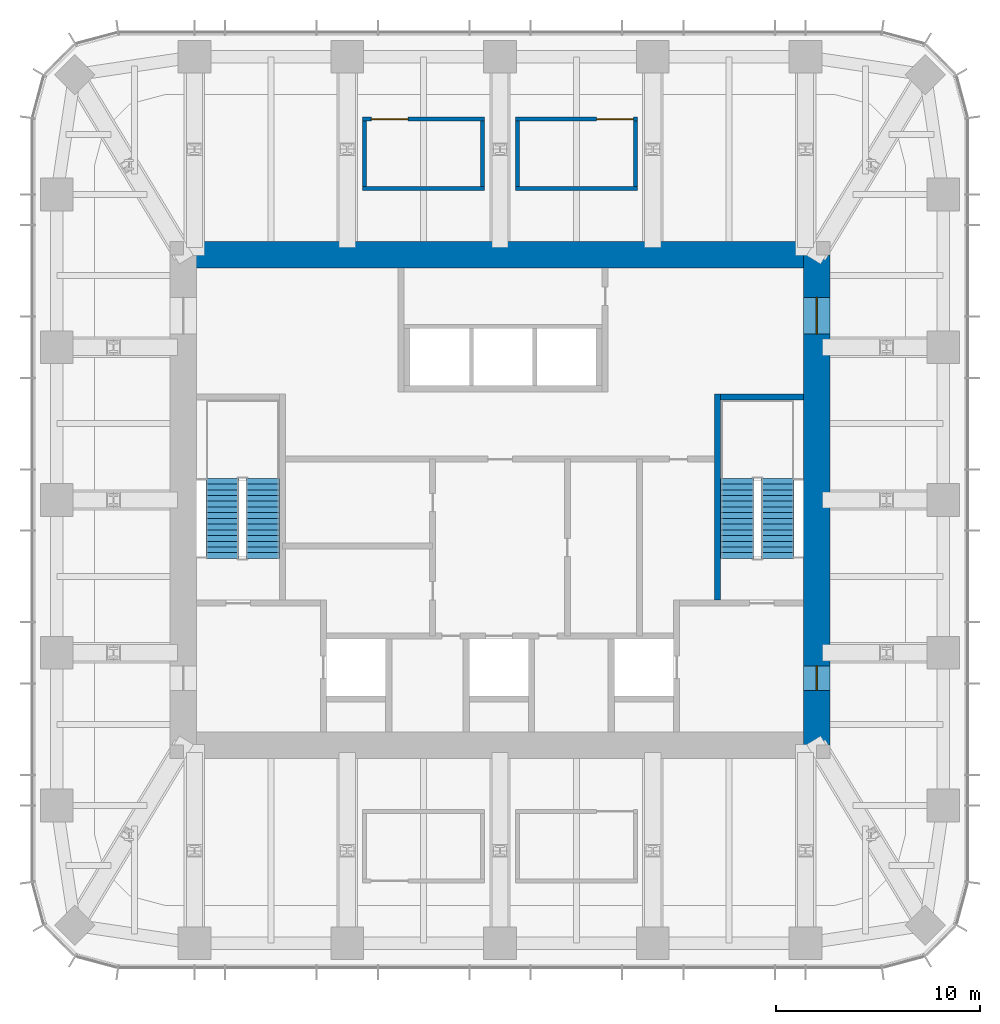
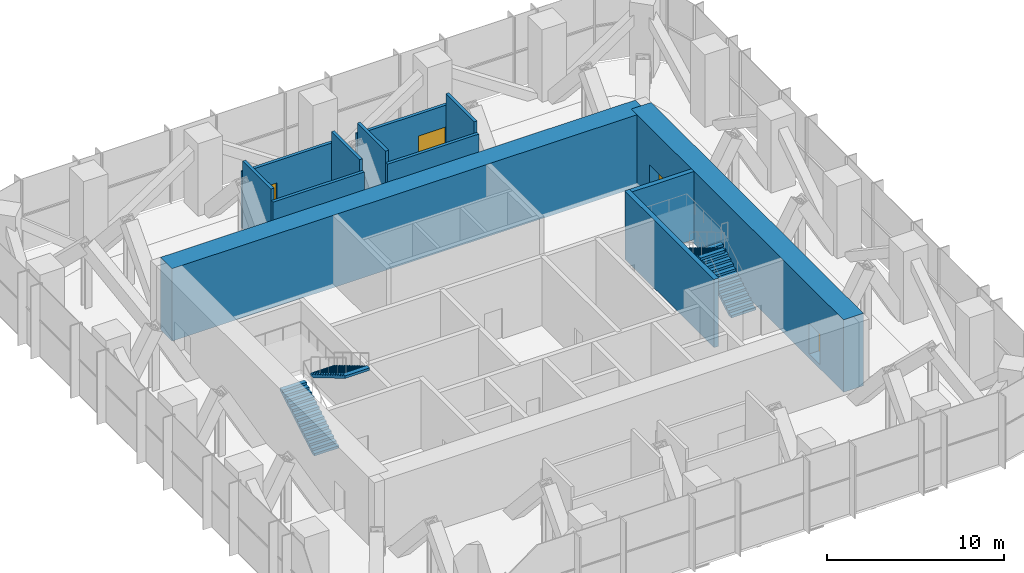
# One storey, part 8 of 9: 12 walls, 4 doors, 4 stair flights, 4 openings, 2 elements without a shape of their own.
"""IFC4 building model written with IfcOpenShell, lengths in metres."""

from ifc_helpers import new_model, si_unit, direction, frame, frame_2d, origin, place, context, subcontext, project, spatial, polyline, rectangle, outline, extrude, material, layer, layer_set, type_object, element, fill, aggregate, save


model = new_model("IFC4")

# Units and contexts
model_context = context("Model", 3, precision=1e-05, world=origin(), true_north=direction((0.0, 1.0)))
body_context = subcontext(model_context, "Body", "Model", "MODEL_VIEW")
ifc_project = project(units=[si_unit("LENGTHUNIT", "METRE"), si_unit("AREAUNIT", "SQUARE_METRE"), si_unit("VOLUMEUNIT", "CUBIC_METRE"), si_unit("PLANEANGLEUNIT", "RADIAN"), si_unit("MASSUNIT", "GRAM", prefix="KILO")], contexts=[model_context])

# Site, building, storey
site_placement = place(None, origin())
site = spatial("IfcSite", under=ifc_project, at=site_placement, CompositionType="ELEMENT")
building_placement = place(site_placement, origin())
building = spatial("IfcBuilding", under=site, at=building_placement, Name="Khuree Lantern Residences", CompositionType="ELEMENT")
storey_placement = place(building_placement, frame((0.0, 0.0, 353.25)))
storey = spatial("IfcBuildingStorey", under=building, at=storey_placement, Name="L89", CompositionType="ELEMENT", Elevation=353.25)

# Wall, openings, doors
ifc_material_1 = material(Name="Concrete C50/60", Category="concrete")
ifc_layer_1 = layer(ifc_material_1, 1.300048828125)
ifc_layer_set_1 = layer_set([ifc_layer_1], Name="CW1300-C50 CORE WALL C50 1300")
wall_type_1 = type_object("IfcWallType", Name="CW1300-C50 CORE WALL C50 1300", PredefinedType="SHEAR", material=ifc_layer_set_1)
wall_1_placement = place(storey_placement, frame((15.5, -12.0, -0.300048828125), z_axis=(0.0, 0.0, 1.0), x_axis=(0.0, 1.0, 0.0)))
wall_1 = element("IfcWall", 1, at=wall_1_placement, inside=storey, type_object=wall_type_1, Name="Core wall E", PredefinedType="SHEAR", context=body_context, shape_type="SweptSolid", body=[
    extrude(rectangle(XDim=24.0, YDim=1.300048828125, at=frame_2d((12.0, 0.0))), origin(), (0.0, 0.0, 1.0), 5.0),
])
opening_1_placement = place(wall_1_placement, frame((2.675048828125, 0.0, 0.300048828125)))
opening_1 = element("IfcOpeningElement", 2, at=opening_1_placement, cuts=wall_1, Name="Opening 89-005", PredefinedType="OPENING", context=body_context, shape_type="SweptSolid", body=[
    extrude(rectangle(XDim=1.199951171875, YDim=2.10009765625, at=frame_2d((0.60009765625, 1.050048828125))), frame((0.0, 0.66015625, 0.0), z_axis=(0.0, -1.0, 0.0), x_axis=(1.0, 0.0, 0.0)), (0.0, 0.0, 1.0), 1.320068359375),
])
opening_2_placement = place(wall_1_placement, frame((20.125, 0.0, 0.300048828125)))
opening_2 = element("IfcOpeningElement", 3, at=opening_2_placement, cuts=wall_1, Name="Opening 89-006", PredefinedType="OPENING", context=body_context, shape_type="SweptSolid", body=[
    extrude(rectangle(XDim=1.800048828125, YDim=2.10009765625, at=frame_2d((0.89990234375, 1.050048828125))), frame((0.0, 0.66015625, 0.0), z_axis=(0.0, -1.0, 0.0), x_axis=(1.0, 0.0, 0.0)), (0.0, 0.0, 1.0), 1.320068359375),
])
ifc_material_2 = material(Name="Steel door leaf in steel frame", Category="steel")
door_type_1 = type_object("IfcDoorType", Name="LOBBY DOOR 1200X2100 EI 120", OperationType="SINGLE_SWING_LEFT", PredefinedType="DOOR", material=ifc_material_2)
door_1_placement = place(opening_1_placement, origin())
door_1 = element("IfcDoor", 4, at=door_1_placement, inside=storey, type_object=door_type_1, Name="Firefighting lobby door 89-005", OperationType="SINGLE_SWING_LEFT", OverallHeight=2.10009765625, OverallWidth=1.199951171875, PredefinedType="DOOR", context=body_context, shape_type="SweptSolid", body=[
    extrude(rectangle(XDim=1.199951171875, YDim=2.10009765625, at=frame_2d((0.60009765625, 1.050048828125))), frame((0.0, 0.02490234375, 0.0), z_axis=(0.0, -1.0, 0.0), x_axis=(1.0, 0.0, 0.0)), (0.0, 0.0, 1.0), 0.050048828125),
])
fill(opening_1, door_1)
door_type_2 = type_object("IfcDoorType", Name="LOBBY DOUBLE DOOR 1800X2100 EI 60", OperationType="DOUBLE_DOOR_SINGLE_SWING", PredefinedType="DOOR", material=ifc_material_2)
door_2_placement = place(opening_2_placement, origin())
door_2 = element("IfcDoor", 5, at=door_2_placement, inside=storey, type_object=door_type_2, Name="Lift lobby door 89-006", OperationType="DOUBLE_DOOR_SINGLE_SWING", OverallHeight=2.10009765625, OverallWidth=1.800048828125, PredefinedType="DOOR", context=body_context, shape_type="SweptSolid", body=[
    extrude(rectangle(XDim=1.800048828125, YDim=2.10009765625, at=frame_2d((0.89990234375, 1.050048828125))), frame((0.0, 0.02490234375, 0.0), z_axis=(0.0, -1.0, 0.0), x_axis=(1.0, 0.0, 0.0)), (0.0, 0.0, 1.0), 0.050048828125),
])
fill(opening_2, door_2)

# Walls
wall_2_placement = place(storey_placement, frame((-15.5, 12.0, -0.300048828125), z_axis=(0.0, 0.0, 1.0), x_axis=(1.0, 0.0, 0.0)))
element("IfcWall", 6, at=wall_2_placement, inside=storey, type_object=wall_type_1, Name="Core wall N", PredefinedType="SHEAR", context=body_context, shape_type="SweptSolid", body=[
    extrude(rectangle(XDim=31.0, YDim=1.300048828125, at=frame_2d((15.5, 0.0))), origin(), (0.0, 0.0, 1.0), 5.0),
])
ifc_material_3 = material(Name="Dense concrete blockwork", Category="masonry")
ifc_layer_2 = layer(ifc_material_3, 0.199951171875)
ifc_layer_set_2 = layer_set([ifc_layer_2], Name="FIRE-RATED ROOM WALL FRW200 EI 120")
wall_type_2 = type_object("IfcWallType", Name="FIRE-RATED ROOM WALL FRW200 EI 120", PredefinedType="SOLIDWALL", material=ifc_layer_set_2)
for number, where, z_axis, x_axis, name in (
    (7, (-6.72998046875, 15.25, 0.0), (0.0, 0.0, 1.0), (1.0, 0.0, 0.0), "L89 ROOM WALL 9"),
    (8, (0.75, 15.25, 0.0), (0.0, 0.0, 1.0), (1.0, 0.0, 0.0), "L89 ROOM WALL 10"),
):
    element("IfcWall", number, at=place(storey_placement, frame(where, z_axis=z_axis, x_axis=x_axis)), inside=storey, type_object=wall_type_2, Name=name, PredefinedType="SOLIDWALL", context=body_context, shape_type="SweptSolid", body=[
        extrude(rectangle(XDim=5.97998046875, YDim=0.199951171875, at=frame_2d((2.989990234375, 0.0))), origin(), (0.0, 0.0, 1.0), 3.909912109375),
    ])
for number, where, z_axis, x_axis, name in (
    (9, (-6.6298828125, 15.35009765625, 0.0), (0.0, 0.0, 1.0), (0.0, 1.0, 0.0), "L89 ROOM WALL 11"),
    (10, (-0.85009765625, 15.35009765625, 0.0), (0.0, 0.0, 1.0), (0.0, 1.0, 0.0), "L89 ROOM WALL 12"),
    (11, (0.85009765625, 15.35009765625, 0.0), (0.0, 0.0, 1.0), (0.0, 1.0, 0.0), "L89 ROOM WALL 13"),
    (12, (6.6298828125, 15.35009765625, 0.0), (0.0, 0.0, 1.0), (0.0, 1.0, 0.0), "L89 ROOM WALL 14"),
):
    element("IfcWall", number, at=place(storey_placement, frame(where, z_axis=z_axis, x_axis=x_axis)), inside=storey, type_object=wall_type_2, Name=name, PredefinedType="SOLIDWALL", context=body_context, shape_type="SweptSolid", body=[
        extrude(rectangle(XDim=3.199951171875, YDim=0.199951171875, at=frame_2d((1.60009765625, 0.0))), origin(), (0.0, 0.0, 1.0), 4.699951171875),
    ])

# Wall, opening, door
wall_3_placement = place(storey_placement, frame((-6.72998046875, 18.64990234375, 0.0), z_axis=(0.0, 0.0, 1.0), x_axis=(1.0, 0.0, 0.0)))
wall_3 = element("IfcWall", 13, at=wall_3_placement, inside=storey, type_object=wall_type_2, Name="L89 ROOM WALL 15", PredefinedType="SOLIDWALL", context=body_context, shape_type="SweptSolid", body=[
    extrude(rectangle(XDim=5.97998046875, YDim=0.199951171875, at=frame_2d((2.989990234375, 0.0))), origin(), (0.0, 0.0, 1.0), 3.909912109375),
])
opening_3_placement = place(wall_3_placement, frame((0.427490234375, 0.0, 0.0)))
opening_3 = element("IfcOpeningElement", 14, at=opening_3_placement, cuts=wall_3, Name="Opening 89-018", PredefinedType="OPENING", context=body_context, shape_type="SweptSolid", body=[
    extrude(rectangle(XDim=1.800048828125, YDim=2.39990234375, at=frame_2d((0.89990234375, 1.199951171875))), frame((0.0, 0.10986328125, 0.0), z_axis=(0.0, -1.0, 0.0), x_axis=(1.0, 0.0, 0.0)), (0.0, 0.0, 1.0), 0.219970703125),
])
door_type_3 = type_object("IfcDoorType", Name="PLANT ROOM DOOR 1800X2400 EI 60", OperationType="DOUBLE_DOOR_SINGLE_SWING", PredefinedType="DOOR", material=ifc_material_2)
door_3_placement = place(opening_3_placement, origin())
door_3 = element("IfcDoor", 15, at=door_3_placement, inside=storey, type_object=door_type_3, Name="AHU plant room door 89-018", OperationType="DOUBLE_DOOR_SINGLE_SWING", OverallHeight=2.39990234375, OverallWidth=1.800048828125, PredefinedType="DOOR", context=body_context, shape_type="SweptSolid", body=[
    extrude(rectangle(XDim=1.800048828125, YDim=2.39990234375, at=frame_2d((0.89990234375, 1.199951171875))), frame((0.0, 0.02490234375, 0.0), z_axis=(0.0, -1.0, 0.0), x_axis=(1.0, 0.0, 0.0)), (0.0, 0.0, 1.0), 0.050048828125),
])
fill(opening_3, door_3)

wall_4_placement = place(storey_placement, frame((0.75, 18.64990234375, 0.0), z_axis=(0.0, 0.0, 1.0), x_axis=(1.0, 0.0, 0.0)))
wall_4 = element("IfcWall", 16, at=wall_4_placement, inside=storey, type_object=wall_type_2, Name="L89 ROOM WALL 16", PredefinedType="SOLIDWALL", context=body_context, shape_type="SweptSolid", body=[
    extrude(rectangle(XDim=5.97998046875, YDim=0.199951171875, at=frame_2d((2.989990234375, 0.0))), origin(), (0.0, 0.0, 1.0), 3.909912109375),
])
opening_4_placement = place(wall_4_placement, frame((3.9794921875, 0.0, 0.0)))
opening_4 = element("IfcOpeningElement", 17, at=opening_4_placement, cuts=wall_4, Name="Opening 89-019", PredefinedType="OPENING", context=body_context, shape_type="SweptSolid", body=[
    extrude(rectangle(XDim=1.800048828125, YDim=2.39990234375, at=frame_2d((0.89990234375, 1.199951171875))), frame((0.0, 0.10986328125, 0.0), z_axis=(0.0, -1.0, 0.0), x_axis=(1.0, 0.0, 0.0)), (0.0, 0.0, 1.0), 0.219970703125),
])
door_4_placement = place(opening_4_placement, origin())
door_4 = element("IfcDoor", 18, at=door_4_placement, inside=storey, type_object=door_type_3, Name="AHU plant room door 89-019", OperationType="DOUBLE_DOOR_SINGLE_SWING", OverallHeight=2.39990234375, OverallWidth=1.800048828125, PredefinedType="DOOR", context=body_context, shape_type="SweptSolid", body=[
    extrude(rectangle(XDim=1.800048828125, YDim=2.39990234375, at=frame_2d((0.89990234375, 1.199951171875))), frame((0.0, 0.02490234375, 0.0), z_axis=(0.0, -1.0, 0.0), x_axis=(1.0, 0.0, 0.0)), (0.0, 0.0, 1.0), 0.050048828125),
])
fill(opening_4, door_4)

# Walls
ifc_layer_3 = layer(ifc_material_1, 0.300048828125)
ifc_layer_set_3 = layer_set([ifc_layer_3], Name="STAIR WALL SRW300 C50/60 REI 240")
wall_type_3 = type_object("IfcWallType", Name="STAIR WALL SRW300 C50/60 REI 240", PredefinedType="SOLIDWALL", material=ifc_layer_set_3)
wall_5_placement = place(storey_placement, frame((10.64990234375, -4.89990234375, 0.0), z_axis=(0.0, 0.0, 1.0), x_axis=(0.0, 1.0, 0.0)))
element("IfcWall", 19, at=wall_5_placement, inside=storey, type_object=wall_type_3, Name="L89 STAIR WALL ST2E", PredefinedType="SOLIDWALL", context=body_context, shape_type="SweptSolid", body=[
    extrude(rectangle(XDim=10.099853515625, YDim=0.300048828125, at=frame_2d((5.0498046875, 0.0))), origin(), (0.0, 0.0, 1.0), 4.699951171875),
])
wall_6_placement = place(storey_placement, frame((14.85009765625, 5.050048828125, 0.0), z_axis=(0.0, 0.0, 1.0), x_axis=(-1.0, 0.0, 0.0)))
element("IfcWall", 20, at=wall_6_placement, inside=storey, type_object=wall_type_3, Name="L89 STAIR WALL ST2N", PredefinedType="SOLIDWALL", context=body_context, shape_type="SweptSolid", body=[
    extrude(rectangle(XDim=4.050048828125, YDim=0.300048828125, at=frame_2d((2.02490234375, 0.0))), origin(), (0.0, 0.0, 1.0), 4.699951171875),
])

# Stair, stair flights
ifc_material_4 = material(Name="Concrete C40/50", Category="concrete")
stair_type = type_object("IfcStairType", Name="STAIR ST1 HALF TURN 3600", PredefinedType="HALF_TURN_STAIR", material=ifc_material_4)
stair_1_placement = place(storey_placement, origin())
stair_1 = element("IfcStair", 21, at=stair_1_placement, inside=storey, type_object=stair_type, Name="Stair ST1", PredefinedType="HALF_TURN_STAIR")
stair_flight_type = type_object("IfcStairFlightType", Name="STAIR FLIGHT SF1 1600", PredefinedType="STRAIGHT", material=ifc_material_4)
stair_flight_1_placement = place(storey_placement, frame((-13.60009765625, -2.860107421875, 0.0), z_axis=(0.0, 0.0, 1.0), x_axis=(0.0, 1.0, 0.0)))
stair_flight_1 = element("IfcStairFlight", 22, at=stair_flight_1_placement, type_object=stair_flight_type, Name="ST1 flight 1", NumberOfRisers=15, NumberOfTreads=14, PredefinedType="STRAIGHT", RiserHeight=0.166666667, TreadLength=0.28, context=body_context, shape_type="SweptSolid", body=[
    extrude(outline(polyline([(0.0, 0.0), (0.0, 0.166748046875), (0.280029296875, 0.166748046875), (0.280029296875, 0.333251953125), (0.56005859375, 0.333251953125), (0.56005859375, 0.5), (0.840087890625, 0.5), (0.840087890625, 0.666748046875), (1.1201171875, 0.666748046875), (1.1201171875, 0.833251953125), (1.39990234375, 0.833251953125), (1.39990234375, 1.0), (1.679931640625, 1.0), (1.679931640625, 1.166748046875), (1.9599609375, 1.166748046875), (1.9599609375, 1.333251953125), (2.239990234375, 1.333251953125), (2.239990234375, 1.5), (2.52001953125, 1.5), (2.52001953125, 1.666748046875), (2.800048828125, 1.666748046875), (2.800048828125, 1.833251953125), (3.080078125, 1.833251953125), (3.080078125, 2.0), (3.360107421875, 2.0), (3.360107421875, 2.166748046875), (3.639892578125, 2.166748046875), (3.639892578125, 2.333251953125), (3.919921875, 2.333251953125), (3.919921875, 2.5), (3.919921875, 2.158935546875), (0.29296875, 0.0), (0.0, 0.0)])), frame((0.0, 0.800048828125, 0.0), z_axis=(0.0, -1.0, 0.0), x_axis=(1.0, 0.0, 0.0)), (0.0, 0.0, 1.0), 1.60009765625),
])
stair_flight_2_placement = place(storey_placement, frame((-11.60009765625, 1.06005859375, 2.5), z_axis=(0.0, 0.0, 1.0), x_axis=(0.0, -1.0, 0.0)))
stair_flight_2 = element("IfcStairFlight", 23, at=stair_flight_2_placement, type_object=stair_flight_type, Name="ST1 flight 2", NumberOfRisers=15, NumberOfTreads=14, PredefinedType="STRAIGHT", RiserHeight=0.166666667, TreadLength=0.28, context=body_context, shape_type="SweptSolid", body=[
    extrude(outline(polyline([(0.0, 0.0), (0.0, 0.166748046875), (0.280029296875, 0.166748046875), (0.280029296875, 0.333251953125), (0.56005859375, 0.333251953125), (0.56005859375, 0.5), (0.840087890625, 0.5), (0.840087890625, 0.666748046875), (1.1201171875, 0.666748046875), (1.1201171875, 0.833251953125), (1.39990234375, 0.833251953125), (1.39990234375, 1.0), (1.679931640625, 1.0), (1.679931640625, 1.166748046875), (1.9599609375, 1.166748046875), (1.9599609375, 1.333251953125), (2.239990234375, 1.333251953125), (2.239990234375, 1.5), (2.52001953125, 1.5), (2.52001953125, 1.666748046875), (2.800048828125, 1.666748046875), (2.800048828125, 1.833251953125), (3.080078125, 1.833251953125), (3.080078125, 2.0), (3.360107421875, 2.0), (3.360107421875, 2.166748046875), (3.639892578125, 2.166748046875), (3.639892578125, 2.333251953125), (3.919921875, 2.333251953125), (3.919921875, 2.5), (3.919921875, 2.158935546875), (0.29296875, 0.0), (0.0, 0.0)])), frame((0.0, 0.800048828125, 0.0), z_axis=(0.0, -1.0, 0.0), x_axis=(1.0, 0.0, 0.0)), (0.0, 0.0, 1.0), 1.60009765625),
])
aggregate(stair_1, [stair_flight_1, stair_flight_2])

stair_2_placement = place(storey_placement, origin())
stair_2 = element("IfcStair", 24, at=stair_2_placement, inside=storey, type_object=stair_type, Name="Stair ST2", PredefinedType="HALF_TURN_STAIR")
stair_flight_3_placement = place(storey_placement, frame((13.60009765625, -2.860107421875, 0.0), z_axis=(0.0, 0.0, 1.0), x_axis=(0.0, 1.0, 0.0)))
stair_flight_3 = element("IfcStairFlight", 25, at=stair_flight_3_placement, type_object=stair_flight_type, Name="ST2 flight 1", NumberOfRisers=15, NumberOfTreads=14, PredefinedType="STRAIGHT", RiserHeight=0.166666667, TreadLength=0.28, context=body_context, shape_type="SweptSolid", body=[
    extrude(outline(polyline([(0.0, 0.0), (0.0, 0.166748046875), (0.280029296875, 0.166748046875), (0.280029296875, 0.333251953125), (0.56005859375, 0.333251953125), (0.56005859375, 0.5), (0.840087890625, 0.5), (0.840087890625, 0.666748046875), (1.1201171875, 0.666748046875), (1.1201171875, 0.833251953125), (1.39990234375, 0.833251953125), (1.39990234375, 1.0), (1.679931640625, 1.0), (1.679931640625, 1.166748046875), (1.9599609375, 1.166748046875), (1.9599609375, 1.333251953125), (2.239990234375, 1.333251953125), (2.239990234375, 1.5), (2.52001953125, 1.5), (2.52001953125, 1.666748046875), (2.800048828125, 1.666748046875), (2.800048828125, 1.833251953125), (3.080078125, 1.833251953125), (3.080078125, 2.0), (3.360107421875, 2.0), (3.360107421875, 2.166748046875), (3.639892578125, 2.166748046875), (3.639892578125, 2.333251953125), (3.919921875, 2.333251953125), (3.919921875, 2.5), (3.919921875, 2.158935546875), (0.29296875, 0.0), (0.0, 0.0)])), frame((0.0, 0.800048828125, 0.0), z_axis=(0.0, -1.0, 0.0), x_axis=(1.0, 0.0, 0.0)), (0.0, 0.0, 1.0), 1.60009765625),
])
stair_flight_4_placement = place(storey_placement, frame((11.60009765625, 1.06005859375, 2.5), z_axis=(0.0, 0.0, 1.0), x_axis=(0.0, -1.0, 0.0)))
stair_flight_4 = element("IfcStairFlight", 26, at=stair_flight_4_placement, type_object=stair_flight_type, Name="ST2 flight 2", NumberOfRisers=15, NumberOfTreads=14, PredefinedType="STRAIGHT", RiserHeight=0.166666667, TreadLength=0.28, context=body_context, shape_type="SweptSolid", body=[
    extrude(outline(polyline([(0.0, 0.0), (0.0, 0.166748046875), (0.280029296875, 0.166748046875), (0.280029296875, 0.333251953125), (0.56005859375, 0.333251953125), (0.56005859375, 0.5), (0.840087890625, 0.5), (0.840087890625, 0.666748046875), (1.1201171875, 0.666748046875), (1.1201171875, 0.833251953125), (1.39990234375, 0.833251953125), (1.39990234375, 1.0), (1.679931640625, 1.0), (1.679931640625, 1.166748046875), (1.9599609375, 1.166748046875), (1.9599609375, 1.333251953125), (2.239990234375, 1.333251953125), (2.239990234375, 1.5), (2.52001953125, 1.5), (2.52001953125, 1.666748046875), (2.800048828125, 1.666748046875), (2.800048828125, 1.833251953125), (3.080078125, 1.833251953125), (3.080078125, 2.0), (3.360107421875, 2.0), (3.360107421875, 2.166748046875), (3.639892578125, 2.166748046875), (3.639892578125, 2.333251953125), (3.919921875, 2.333251953125), (3.919921875, 2.5), (3.919921875, 2.158935546875), (0.29296875, 0.0), (0.0, 0.0)])), frame((0.0, 0.800048828125, 0.0), z_axis=(0.0, -1.0, 0.0), x_axis=(1.0, 0.0, 0.0)), (0.0, 0.0, 1.0), 1.60009765625),
])
aggregate(stair_2, [stair_flight_3, stair_flight_4])

save(model, "model.ifc")
